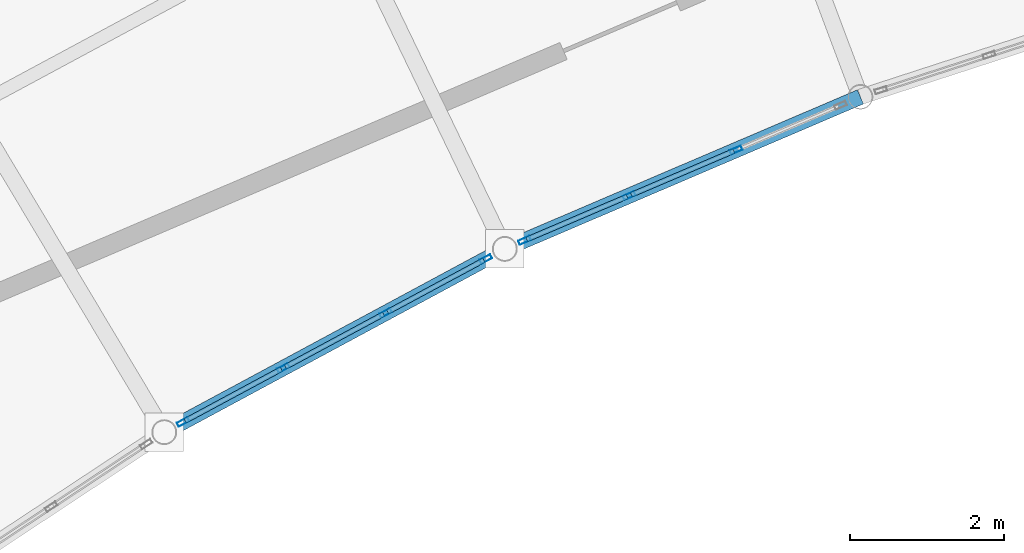
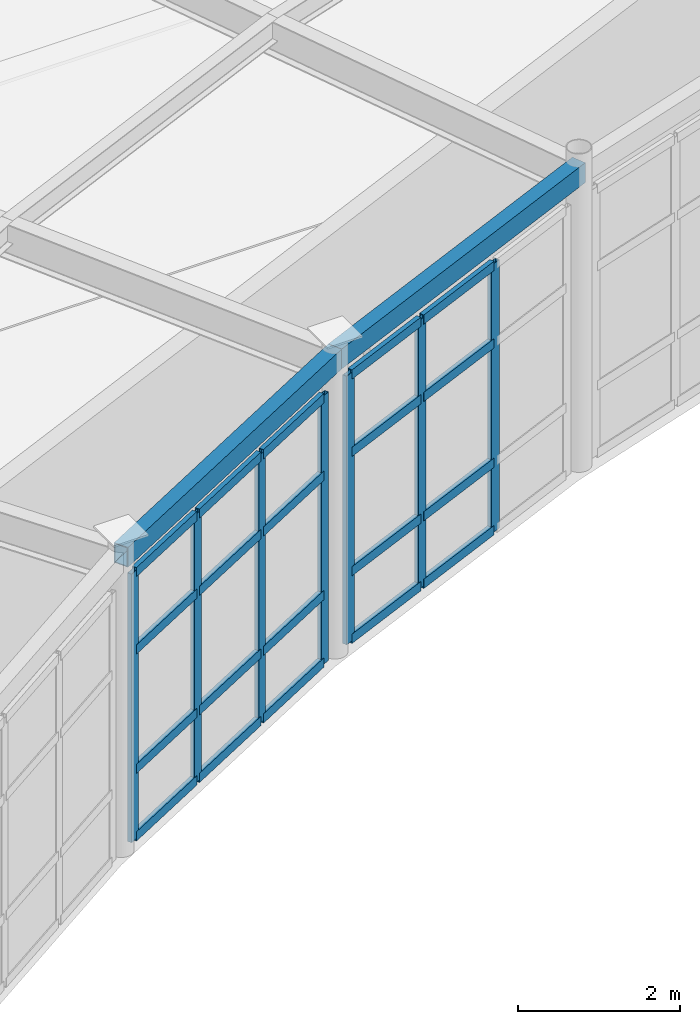
# One storey, part 59 of 105: 27 members, 2 beams, 2 elements without a shape of their own.
"""IFC4 building model written with IfcOpenShell, lengths in metres."""

from ifc_helpers import new_model, si_unit, direction, frame, origin, origin_2d, place, context, subcontext, project, spatial, hollow_rectangle, extrude, material, layer, layer_set, material_profile, profile_set, type_object, element, aggregate, save


model = new_model("IFC4")

# Units and contexts
model_context = context("Model", 3, precision=1e-05, world=origin(), true_north=direction((0.0, 1.0)))
body_context = subcontext(model_context, "Body", "Model", "MODEL_VIEW")
ifc_project = project(units=[si_unit("LENGTHUNIT", "METRE"), si_unit("AREAUNIT", "SQUARE_METRE"), si_unit("VOLUMEUNIT", "CUBIC_METRE"), si_unit("PLANEANGLEUNIT", "RADIAN"), si_unit("MASSUNIT", "GRAM", prefix="KILO")], contexts=[model_context])

# Site, building, storey
site_placement = place(None, origin())
site = spatial("IfcSite", under=ifc_project, at=site_placement, CompositionType="ELEMENT")
building_placement = place(site_placement, origin())
building = spatial("IfcBuilding", under=site, at=building_placement, Name="Selat Folded Stagehouse", CompositionType="ELEMENT")
storey_placement = place(building_placement, frame((0.0, 0.0, 10.199951171875)))
storey = spatial("IfcBuildingStorey", under=building, at=storey_placement, Name="L02", CompositionType="ELEMENT", Elevation=10.199951171875)

# Curtain wall, members
ifc_material_1 = material(Name="Aluminium 6063-T6", Category="aluminium")
ifc_layer = layer(ifc_material_1, 0.18994140625)
ifc_layer_set = layer_set([ifc_layer], Name="Aluminium 6063-T6")
curtain_wall_type = type_object("IfcCurtainWallType", Name="CW-REH-ARC", PredefinedType="NOTDEFINED", material=ifc_layer_set)
curtain_wall_1_placement = place(storey_placement, origin())
curtain_wall_1 = element("IfcCurtainWall", 1, at=curtain_wall_1_placement, inside=storey, type_object=curtain_wall_type, Name="L02 curtain wall CW-REH-L02-01", PredefinedType="NOTDEFINED")
ifc_material_profile_1 = material_profile(ifc_material_1, hollow_rectangle(XDim=0.06005859375, YDim=0.159912109375, WallThickness=0.00390625, at=origin_2d()), Name="ALU 160x60x4.0")
ifc_profile_set_1 = profile_set([ifc_material_profile_1], Name="Aluminium 6063-T6")
member_type_1 = type_object("IfcMemberType", Name="CWM-MUL-160x60", PredefinedType="MULLION", material=ifc_profile_set_1)
member_1_placement = place(storey_placement, frame((67.85595703125, 88.321533203125, 0.0), z_axis=(0.0, 0.0, 1.0), x_axis=(0.473858636259, -0.880600927119, 0.0)))
member_1 = element("IfcMember", 2, at=member_1_placement, type_object=member_type_1, Name="CW-06 mullion 1", PredefinedType="MULLION", context=body_context, shape_type="SweptSolid", body=[
    extrude(hollow_rectangle(XDim=0.06005859375, YDim=0.159912109375, WallThickness=0.00390625, at=origin_2d()), origin(), (0.0, 0.0, 1.0), 4.050048828125),
])
member_2_placement = place(storey_placement, frame((66.55419921875, 87.62109375, 0.0), z_axis=(0.0, 0.0, 1.0), x_axis=(0.473858636259, -0.880600927119, 0.0)))
member_2 = element("IfcMember", 3, at=member_2_placement, type_object=member_type_1, Name="CW-06 mullion 2", PredefinedType="MULLION", context=body_context, shape_type="SweptSolid", body=[
    extrude(hollow_rectangle(XDim=0.06005859375, YDim=0.159912109375, WallThickness=0.00390625, at=origin_2d()), origin(), (0.0, 0.0, 1.0), 4.050048828125),
])
member_3_placement = place(storey_placement, frame((65.225830078125, 86.90625, 0.0), z_axis=(0.0, 0.0, 1.0), x_axis=(0.473858636259, -0.880600927119, 0.0)))
member_3 = element("IfcMember", 4, at=member_3_placement, type_object=member_type_1, Name="CW-06 mullion 3", PredefinedType="MULLION", context=body_context, shape_type="SweptSolid", body=[
    extrude(hollow_rectangle(XDim=0.06005859375, YDim=0.159912109375, WallThickness=0.00390625, at=origin_2d()), origin(), (0.0, 0.0, 1.0), 4.050048828125),
])
member_4_placement = place(storey_placement, frame((63.924072265625, 86.205810546875, 0.0), z_axis=(0.0, 0.0, 1.0), x_axis=(0.473858636259, -0.880600927119, 0.0)))
member_4 = element("IfcMember", 5, at=member_4_placement, type_object=member_type_1, Name="CW-06 mullion 4", PredefinedType="MULLION", context=body_context, shape_type="SweptSolid", body=[
    extrude(hollow_rectangle(XDim=0.06005859375, YDim=0.159912109375, WallThickness=0.00390625, at=origin_2d()), origin(), (0.0, 0.0, 1.0), 4.050048828125),
])

curtain_wall_2_placement = place(storey_placement, origin())
curtain_wall_2 = element("IfcCurtainWall", 6, at=curtain_wall_2_placement, inside=storey, type_object=curtain_wall_type, Name="L02 curtain wall CW-REH-L02-02", PredefinedType="NOTDEFINED")
member_5_placement = place(storey_placement, frame((71.106201171875, 89.738037109375, 0.0), z_axis=(0.0, 0.0, 1.0), x_axis=(0.393012226483, -0.919533245639, 0.0)))
member_5 = element("IfcMember", 7, at=member_5_placement, type_object=member_type_1, Name="CW-06 mullion 2", PredefinedType="MULLION", context=body_context, shape_type="SweptSolid", body=[
    extrude(hollow_rectangle(XDim=0.06005859375, YDim=0.159912109375, WallThickness=0.00390625, at=origin_2d()), origin(), (0.0, 0.0, 1.0), 4.050048828125),
])
member_6_placement = place(storey_placement, frame((69.71923828125, 89.145263671875, 0.0), z_axis=(0.0, 0.0, 1.0), x_axis=(0.393012226483, -0.919533245639, 0.0)))
member_6 = element("IfcMember", 8, at=member_6_placement, type_object=member_type_1, Name="CW-06 mullion 3", PredefinedType="MULLION", context=body_context, shape_type="SweptSolid", body=[
    extrude(hollow_rectangle(XDim=0.06005859375, YDim=0.159912109375, WallThickness=0.00390625, at=origin_2d()), origin(), (0.0, 0.0, 1.0), 4.050048828125),
])
member_7_placement = place(storey_placement, frame((68.360107421875, 88.564453125, 0.0), z_axis=(0.0, 0.0, 1.0), x_axis=(0.393012226483, -0.919533245639, 0.0)))
member_7 = element("IfcMember", 9, at=member_7_placement, type_object=member_type_1, Name="CW-06 mullion 4", PredefinedType="MULLION", context=body_context, shape_type="SweptSolid", body=[
    extrude(hollow_rectangle(XDim=0.06005859375, YDim=0.159912109375, WallThickness=0.00390625, at=origin_2d()), origin(), (0.0, 0.0, 1.0), 4.050048828125),
])

# Member
ifc_material_profile_2 = material_profile(ifc_material_1, hollow_rectangle(XDim=0.06494140625, YDim=0.139892578125, WallThickness=0.00390625, at=origin_2d()), Name="ALU 140x65x4.0")
ifc_profile_set_2 = profile_set([ifc_material_profile_2], Name="Aluminium 6063-T6")
member_type_2 = type_object("IfcMemberType", Name="CWM-TRN-140x65", PredefinedType="USERDEFINED", material=ifc_profile_set_2)
member_8_placement = place(storey_placement, frame((67.82958984375, 88.307373046875, 0.032470703125), z_axis=(-0.880598189077, -0.473863724497, 0.0), x_axis=(0.473863724497, -0.880598189077, 0.0)))
member_8 = element("IfcMember", 10, at=member_8_placement, type_object=member_type_2, Name="CW-06 transom 1.1", ObjectType="TRANSOM", PredefinedType="USERDEFINED", context=body_context, shape_type="SweptSolid", body=[
    extrude(hollow_rectangle(XDim=0.06494140625, YDim=0.139892578125, WallThickness=0.00390625, at=origin_2d()), origin(), (0.0, 0.0, 1.0), 1.41845703125),
])

member_9_placement = place(storey_placement, frame((67.82958984375, 88.307373046875, 1.050048828125), z_axis=(-0.880598189077, -0.473863724497, 0.0), x_axis=(0.473863724497, -0.880598189077, 0.0)))
member_9 = element("IfcMember", 11, at=member_9_placement, type_object=member_type_2, Name="CW-06 transom 1.2", ObjectType="TRANSOM", PredefinedType="USERDEFINED", context=body_context, shape_type="SweptSolid", body=[
    extrude(hollow_rectangle(XDim=0.06494140625, YDim=0.139892578125, WallThickness=0.00390625, at=origin_2d()), origin(), (0.0, 0.0, 1.0), 1.41845703125),
])

member_10_placement = place(storey_placement, frame((67.82958984375, 88.307373046875, 2.85009765625), z_axis=(-0.880598189077, -0.473863724497, 0.0), x_axis=(0.473863724497, -0.880598189077, 0.0)))
member_10 = element("IfcMember", 12, at=member_10_placement, type_object=member_type_2, Name="CW-06 transom 1.3", ObjectType="TRANSOM", PredefinedType="USERDEFINED", context=body_context, shape_type="SweptSolid", body=[
    extrude(hollow_rectangle(XDim=0.06494140625, YDim=0.139892578125, WallThickness=0.00390625, at=origin_2d()), origin(), (0.0, 0.0, 1.0), 1.41845703125),
])

member_11_placement = place(storey_placement, frame((67.82958984375, 88.307373046875, 4.017578125), z_axis=(-0.880598189077, -0.473863724497, 0.0), x_axis=(0.473863724497, -0.880598189077, 0.0)))
member_11 = element("IfcMember", 13, at=member_11_placement, type_object=member_type_2, Name="CW-06 transom 1.4", ObjectType="TRANSOM", PredefinedType="USERDEFINED", context=body_context, shape_type="SweptSolid", body=[
    extrude(hollow_rectangle(XDim=0.06494140625, YDim=0.139892578125, WallThickness=0.00390625, at=origin_2d()), origin(), (0.0, 0.0, 1.0), 1.41845703125),
])

member_12_placement = place(storey_placement, frame((66.52783203125, 87.60693359375, 0.032470703125), z_axis=(-0.880606383505, -0.473848496178, 0.0), x_axis=(0.473848496178, -0.880606383505, 0.0)))
member_12 = element("IfcMember", 14, at=member_12_placement, type_object=member_type_2, Name="CW-06 transom 2.1", ObjectType="TRANSOM", PredefinedType="USERDEFINED", context=body_context, shape_type="SweptSolid", body=[
    extrude(hollow_rectangle(XDim=0.06494140625, YDim=0.139892578125, WallThickness=0.00390625, at=origin_2d()), origin(), (0.0, 0.0, 1.0), 1.4482421875),
])

member_13_placement = place(storey_placement, frame((66.52783203125, 87.60693359375, 1.050048828125), z_axis=(-0.880606383505, -0.473848496178, 0.0), x_axis=(0.473848496178, -0.880606383505, 0.0)))
member_13 = element("IfcMember", 15, at=member_13_placement, type_object=member_type_2, Name="CW-06 transom 2.2", ObjectType="TRANSOM", PredefinedType="USERDEFINED", context=body_context, shape_type="SweptSolid", body=[
    extrude(hollow_rectangle(XDim=0.06494140625, YDim=0.139892578125, WallThickness=0.00390625, at=origin_2d()), origin(), (0.0, 0.0, 1.0), 1.4482421875),
])

member_14_placement = place(storey_placement, frame((66.52783203125, 87.60693359375, 2.85009765625), z_axis=(-0.880606383505, -0.473848496178, 0.0), x_axis=(0.473848496178, -0.880606383505, 0.0)))
member_14 = element("IfcMember", 16, at=member_14_placement, type_object=member_type_2, Name="CW-06 transom 2.3", ObjectType="TRANSOM", PredefinedType="USERDEFINED", context=body_context, shape_type="SweptSolid", body=[
    extrude(hollow_rectangle(XDim=0.06494140625, YDim=0.139892578125, WallThickness=0.00390625, at=origin_2d()), origin(), (0.0, 0.0, 1.0), 1.4482421875),
])

member_15_placement = place(storey_placement, frame((66.52783203125, 87.60693359375, 4.017578125), z_axis=(-0.880606383505, -0.473848496178, 0.0), x_axis=(0.473848496178, -0.880606383505, 0.0)))
member_15 = element("IfcMember", 17, at=member_15_placement, type_object=member_type_2, Name="CW-06 transom 2.4", ObjectType="TRANSOM", PredefinedType="USERDEFINED", context=body_context, shape_type="SweptSolid", body=[
    extrude(hollow_rectangle(XDim=0.06494140625, YDim=0.139892578125, WallThickness=0.00390625, at=origin_2d()), origin(), (0.0, 0.0, 1.0), 1.4482421875),
])

member_16_placement = place(storey_placement, frame((65.199462890625, 86.89208984375, 0.032470703125), z_axis=(-0.880598189077, -0.473863724497, 0.0), x_axis=(0.473863724497, -0.880598189077, 0.0)))
member_16 = element("IfcMember", 18, at=member_16_placement, type_object=member_type_2, Name="CW-06 transom 3.1", ObjectType="TRANSOM", PredefinedType="USERDEFINED", context=body_context, shape_type="SweptSolid", body=[
    extrude(hollow_rectangle(XDim=0.06494140625, YDim=0.139892578125, WallThickness=0.00390625, at=origin_2d()), origin(), (0.0, 0.0, 1.0), 1.41845703125),
])

member_17_placement = place(storey_placement, frame((65.199462890625, 86.89208984375, 1.050048828125), z_axis=(-0.880598189077, -0.473863724497, 0.0), x_axis=(0.473863724497, -0.880598189077, 0.0)))
member_17 = element("IfcMember", 19, at=member_17_placement, type_object=member_type_2, Name="CW-06 transom 3.2", ObjectType="TRANSOM", PredefinedType="USERDEFINED", context=body_context, shape_type="SweptSolid", body=[
    extrude(hollow_rectangle(XDim=0.06494140625, YDim=0.139892578125, WallThickness=0.00390625, at=origin_2d()), origin(), (0.0, 0.0, 1.0), 1.41845703125),
])

member_18_placement = place(storey_placement, frame((65.199462890625, 86.89208984375, 2.85009765625), z_axis=(-0.880598189077, -0.473863724497, 0.0), x_axis=(0.473863724497, -0.880598189077, 0.0)))
member_18 = element("IfcMember", 20, at=member_18_placement, type_object=member_type_2, Name="CW-06 transom 3.3", ObjectType="TRANSOM", PredefinedType="USERDEFINED", context=body_context, shape_type="SweptSolid", body=[
    extrude(hollow_rectangle(XDim=0.06494140625, YDim=0.139892578125, WallThickness=0.00390625, at=origin_2d()), origin(), (0.0, 0.0, 1.0), 1.41845703125),
])

member_19_placement = place(storey_placement, frame((65.199462890625, 86.89208984375, 4.017578125), z_axis=(-0.880598189077, -0.473863724497, 0.0), x_axis=(0.473863724497, -0.880598189077, 0.0)))
member_19 = element("IfcMember", 21, at=member_19_placement, type_object=member_type_2, Name="CW-06 transom 3.4", ObjectType="TRANSOM", PredefinedType="USERDEFINED", context=body_context, shape_type="SweptSolid", body=[
    extrude(hollow_rectangle(XDim=0.06494140625, YDim=0.139892578125, WallThickness=0.00390625, at=origin_2d()), origin(), (0.0, 0.0, 1.0), 1.41845703125),
])

aggregate(curtain_wall_1, [member_1, member_2, member_3, member_4, member_8, member_9, member_10, member_11, member_12, member_13, member_14, member_15, member_16, member_17, member_18, member_19])

member_20_placement = place(storey_placement, frame((71.07861328125, 89.726318359375, 0.032470703125), z_axis=(-0.919563036089, -0.392942518263, 0.0), x_axis=(0.392942518263, -0.919563036089, 0.0)))
member_20 = element("IfcMember", 22, at=member_20_placement, type_object=member_type_2, Name="CW-06 transom 2.1", ObjectType="TRANSOM", PredefinedType="USERDEFINED", context=body_context, shape_type="SweptSolid", body=[
    extrude(hollow_rectangle(XDim=0.06494140625, YDim=0.139892578125, WallThickness=0.00390625, at=origin_2d()), origin(), (0.0, 0.0, 1.0), 1.4482421875),
])

member_21_placement = place(storey_placement, frame((71.07861328125, 89.726318359375, 1.050048828125), z_axis=(-0.919563036089, -0.392942518263, 0.0), x_axis=(0.392942518263, -0.919563036089, 0.0)))
member_21 = element("IfcMember", 23, at=member_21_placement, type_object=member_type_2, Name="CW-06 transom 2.2", ObjectType="TRANSOM", PredefinedType="USERDEFINED", context=body_context, shape_type="SweptSolid", body=[
    extrude(hollow_rectangle(XDim=0.06494140625, YDim=0.139892578125, WallThickness=0.00390625, at=origin_2d()), origin(), (0.0, 0.0, 1.0), 1.4482421875),
])

member_22_placement = place(storey_placement, frame((71.07861328125, 89.726318359375, 2.85009765625), z_axis=(-0.919563036089, -0.392942518263, 0.0), x_axis=(0.392942518263, -0.919563036089, 0.0)))
member_22 = element("IfcMember", 24, at=member_22_placement, type_object=member_type_2, Name="CW-06 transom 2.3", ObjectType="TRANSOM", PredefinedType="USERDEFINED", context=body_context, shape_type="SweptSolid", body=[
    extrude(hollow_rectangle(XDim=0.06494140625, YDim=0.139892578125, WallThickness=0.00390625, at=origin_2d()), origin(), (0.0, 0.0, 1.0), 1.4482421875),
])

member_23_placement = place(storey_placement, frame((71.07861328125, 89.726318359375, 4.017578125), z_axis=(-0.919563036089, -0.392942518263, 0.0), x_axis=(0.392942518263, -0.919563036089, 0.0)))
member_23 = element("IfcMember", 25, at=member_23_placement, type_object=member_type_2, Name="CW-06 transom 2.4", ObjectType="TRANSOM", PredefinedType="USERDEFINED", context=body_context, shape_type="SweptSolid", body=[
    extrude(hollow_rectangle(XDim=0.06494140625, YDim=0.139892578125, WallThickness=0.00390625, at=origin_2d()), origin(), (0.0, 0.0, 1.0), 1.4482421875),
])

member_24_placement = place(storey_placement, frame((69.691650390625, 89.133544921875, 0.032470703125), z_axis=(-0.919545213655, -0.392984223657, 0.0), x_axis=(0.392984223657, -0.919545213655, 0.0)))
member_24 = element("IfcMember", 26, at=member_24_placement, type_object=member_type_2, Name="CW-06 transom 3.1", ObjectType="TRANSOM", PredefinedType="USERDEFINED", context=body_context, shape_type="SweptSolid", body=[
    extrude(hollow_rectangle(XDim=0.06494140625, YDim=0.139892578125, WallThickness=0.00390625, at=origin_2d()), origin(), (0.0, 0.0, 1.0), 1.418212890625),
])

member_25_placement = place(storey_placement, frame((69.691650390625, 89.133544921875, 1.050048828125), z_axis=(-0.919545213655, -0.392984223657, 0.0), x_axis=(0.392984223657, -0.919545213655, 0.0)))
member_25 = element("IfcMember", 27, at=member_25_placement, type_object=member_type_2, Name="CW-06 transom 3.2", ObjectType="TRANSOM", PredefinedType="USERDEFINED", context=body_context, shape_type="SweptSolid", body=[
    extrude(hollow_rectangle(XDim=0.06494140625, YDim=0.139892578125, WallThickness=0.00390625, at=origin_2d()), origin(), (0.0, 0.0, 1.0), 1.418212890625),
])

member_26_placement = place(storey_placement, frame((69.691650390625, 89.133544921875, 2.85009765625), z_axis=(-0.919545213655, -0.392984223657, 0.0), x_axis=(0.392984223657, -0.919545213655, 0.0)))
member_26 = element("IfcMember", 28, at=member_26_placement, type_object=member_type_2, Name="CW-06 transom 3.3", ObjectType="TRANSOM", PredefinedType="USERDEFINED", context=body_context, shape_type="SweptSolid", body=[
    extrude(hollow_rectangle(XDim=0.06494140625, YDim=0.139892578125, WallThickness=0.00390625, at=origin_2d()), origin(), (0.0, 0.0, 1.0), 1.418212890625),
])

member_27_placement = place(storey_placement, frame((69.691650390625, 89.133544921875, 4.017578125), z_axis=(-0.919545213655, -0.392984223657, 0.0), x_axis=(0.392984223657, -0.919545213655, 0.0)))
member_27 = element("IfcMember", 29, at=member_27_placement, type_object=member_type_2, Name="CW-06 transom 3.4", ObjectType="TRANSOM", PredefinedType="USERDEFINED", context=body_context, shape_type="SweptSolid", body=[
    extrude(hollow_rectangle(XDim=0.06494140625, YDim=0.139892578125, WallThickness=0.00390625, at=origin_2d()), origin(), (0.0, 0.0, 1.0), 1.418212890625),
])

aggregate(curtain_wall_2, [member_5, member_6, member_7, member_20, member_21, member_22, member_23, member_24, member_25, member_26, member_27])

# Beams
ifc_material_2 = material(Name="Steel S355", Category="steel")
ifc_material_profile_3 = material_profile(ifc_material_2, hollow_rectangle(XDim=0.199951171875, YDim=0.300048828125, WallThickness=0.012451171875, at=origin_2d()), Name="RHS 300x200x12.5")
ifc_profile_set_3 = profile_set([ifc_material_profile_3], Name="Steel S355")
beam_type = type_object("IfcBeamType", Name="SPD-RHS-300x200", PredefinedType="SPANDREL", material=ifc_profile_set_3)
beam_1_placement = place(storey_placement, frame((63.677490234375, 86.072998046875, 4.449951171875), z_axis=(0.880584957194, 0.473888312964, 0.0), x_axis=(-0.473888312964, 0.880584957194, 0.0)))
element("IfcBeam", 30, at=beam_1_placement, inside=storey, type_object=beam_type, Name="L02 inner curved rehearsal spandrel 2", PredefinedType="SPANDREL", context=body_context, shape_type="SweptSolid", body=[
    extrude(hollow_rectangle(XDim=0.199951171875, YDim=0.300048828125, WallThickness=0.012451171875, at=origin_2d()), origin(), (0.0, 0.0, 1.0), 5.025146484375),
])
beam_2_placement = place(storey_placement, frame((68.1025390625, 88.454345703125, 4.449951171875), z_axis=(0.919526599499, 0.393027776135, 0.0), x_axis=(-0.393027776135, 0.919526599499, 0.0)))
element("IfcBeam", 31, at=beam_2_placement, inside=storey, type_object=beam_type, Name="L02 inner curved rehearsal spandrel 3", PredefinedType="SPANDREL", context=body_context, shape_type="SweptSolid", body=[
    extrude(hollow_rectangle(XDim=0.199951171875, YDim=0.300048828125, WallThickness=0.012451171875, at=origin_2d()), origin(), (0.0, 0.0, 1.0), 5.024658203125),
])

save(model, "model.ifc")
